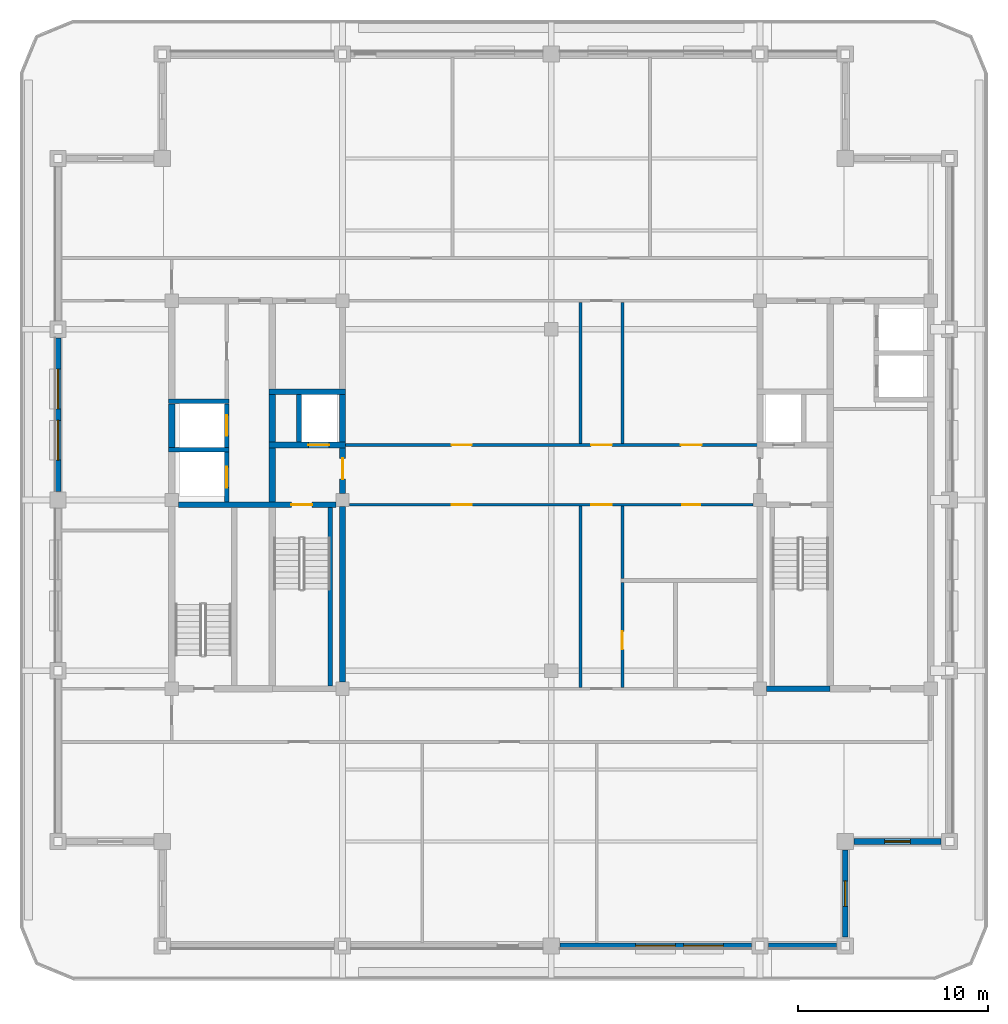
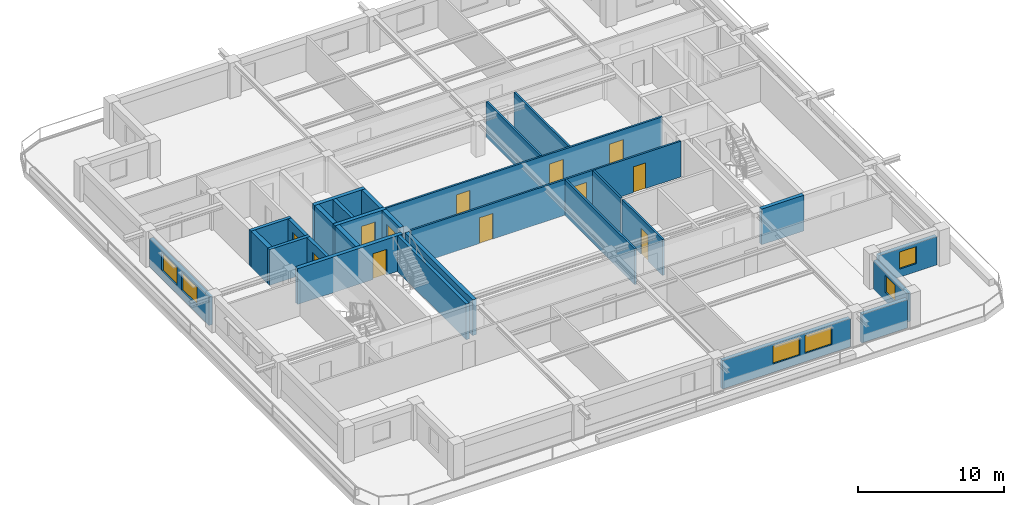
# One storey, part 3 of 11: 28 walls, 12 doors, 6 windows, 18 openings.
"""IFC4 building model written with IfcOpenShell, lengths in metres."""

from ifc_helpers import new_model, si_unit, direction, frame, frame_2d, origin, place, context, subcontext, project, spatial, rectangle, extrude, material, layer, layer_set, type_object, element, fill, save


model = new_model("IFC4")

# Units and contexts
model_context = context("Model", 3, precision=1e-05, world=origin(), true_north=direction((0.0, 1.0)))
body_context = subcontext(model_context, "Body", "Model", "MODEL_VIEW")
ifc_project = project(units=[si_unit("LENGTHUNIT", "METRE"), si_unit("AREAUNIT", "SQUARE_METRE"), si_unit("VOLUMEUNIT", "CUBIC_METRE"), si_unit("PLANEANGLEUNIT", "RADIAN"), si_unit("MASSUNIT", "GRAM", prefix="KILO")], contexts=[model_context])

# Site, building, storey
site_placement = place(None, origin())
site = spatial("IfcSite", under=ifc_project, at=site_placement, CompositionType="ELEMENT")
building_placement = place(site_placement, origin())
building = spatial("IfcBuilding", under=site, at=building_placement, Name="Zulmaris Gate Convention Tower", CompositionType="ELEMENT")
storey_placement = place(building_placement, frame((0.0, 0.0, 264.119873046875)))
storey = spatial("IfcBuildingStorey", under=building, at=storey_placement, Name="L70", CompositionType="ELEMENT", Elevation=264.119873046875)

# Walls
ifc_material_1 = material(Name="Concrete C50/60", Category="concrete")
ifc_layer_1 = layer(ifc_material_1, 0.25, Name="Concrete C50/60")
ifc_layer_set_1 = layer_set([ifc_layer_1], Name="Concrete C50/60")
wall_type_1 = type_object("IfcWallType", Name="CORE-250", PredefinedType="SOLIDWALL", material=ifc_layer_set_1)
for number, where, z_axis, x_axis, name in (
    (1, (-20.175048828125, 2.64990234375, 0.0), (0.0, 0.0, 1.0), (1.0, 0.0, 0.0), "WL-L70-007"),
    (2, (-20.175048828125, 5.199951171875, 0.0), (0.0, 0.0, 1.0), (1.0, 0.0, 0.0), "WL-L70-010"),
):
    element("IfcWall", number, at=place(storey_placement, frame(where, z_axis=z_axis, x_axis=x_axis)), inside=storey, type_object=wall_type_1, Name=name, PredefinedType="SOLIDWALL", context=body_context, shape_type="SweptSolid", body=[
        extrude(rectangle(XDim=3.199951171875, YDim=0.25, at=frame_2d((1.60009765625, 0.0))), origin(), (0.0, 0.0, 1.0), 2.980224609375),
    ])

# Wall, opening, door
wall_1_placement = place(storey_placement, frame((-17.10009765625, -0.097900390625, 0.0), z_axis=(0.0, 0.0, 1.0), x_axis=(0.0, 1.0, 0.0)))
wall_1 = element("IfcWall", 3, at=wall_1_placement, inside=storey, type_object=wall_type_1, Name="WL-L70-034", PredefinedType="SOLIDWALL", context=body_context, shape_type="SweptSolid", body=[
    extrude(rectangle(XDim=2.620849609375, YDim=0.25, at=frame_2d((1.310546875, 0.0))), origin(), (0.0, 0.0, 1.0), 2.980224609375),
])
opening_1_placement = place(wall_1_placement, frame((0.748046875, 0.0, 0.0)))
opening_1 = element("IfcOpeningElement", 4, at=opening_1_placement, cuts=wall_1, Name="Opening D-06", PredefinedType="OPENING", context=body_context, shape_type="SweptSolid", body=[
    extrude(rectangle(XDim=1.10009765625, YDim=2.199951171875, at=frame_2d((0.550048828125, 1.10009765625))), frame((0.0, 0.135009765625, 0.0), z_axis=(0.0, -1.0, 0.0), x_axis=(1.0, 0.0, 0.0)), (0.0, 0.0, 1.0), 0.27001953125),
])
ifc_material_2 = material(Name="Brushed Stainless Steel", Category="steel")
door_type_1 = type_object("IfcDoorType", Name="LD-1100", OperationType="NOTDEFINED", PredefinedType="DOOR", material=ifc_material_2)
door_1_placement = place(opening_1_placement, origin())
door_1 = element("IfcDoor", 5, at=door_1_placement, inside=storey, type_object=door_type_1, Name="L70 Lift Landing Door HP-03 10", OperationType="SLIDING_TO_LEFT", OverallHeight=2.199951171875, OverallWidth=1.10009765625, PredefinedType="DOOR", context=body_context, shape_type="SweptSolid", body=[
    extrude(rectangle(XDim=1.10009765625, YDim=2.199951171875, at=frame_2d((0.550048828125, 1.10009765625))), frame((0.0, 0.02490234375, 0.0), z_axis=(0.0, -1.0, 0.0), x_axis=(1.0, 0.0, 0.0)), (0.0, 0.0, 1.0), 0.050048828125),
])
fill(opening_1, door_1)

wall_2_placement = place(storey_placement, frame((-17.10009765625, 2.777099609375, 0.0), z_axis=(0.0, 0.0, 1.0), x_axis=(0.0, 1.0, 0.0)))
wall_2 = element("IfcWall", 6, at=wall_2_placement, inside=storey, type_object=wall_type_1, Name="WL-L70-035", PredefinedType="SOLIDWALL", context=body_context, shape_type="SweptSolid", body=[
    extrude(rectangle(XDim=2.2958984375, YDim=0.25, at=frame_2d((1.14794921875, 0.0))), origin(), (0.0, 0.0, 1.0), 2.980224609375),
])
opening_2_placement = place(wall_2_placement, frame((0.597900390625, 0.0, 0.0)))
opening_2 = element("IfcOpeningElement", 7, at=opening_2_placement, cuts=wall_2, Name="Opening D-06", PredefinedType="OPENING", context=body_context, shape_type="SweptSolid", body=[
    extrude(rectangle(XDim=1.10009765625, YDim=2.199951171875, at=frame_2d((0.550048828125, 1.10009765625))), frame((0.0, 0.135009765625, 0.0), z_axis=(0.0, -1.0, 0.0), x_axis=(1.0, 0.0, 0.0)), (0.0, 0.0, 1.0), 0.27001953125),
])
door_2_placement = place(opening_2_placement, origin())
door_2 = element("IfcDoor", 8, at=door_2_placement, inside=storey, type_object=door_type_1, Name="L70 Lift Landing Door HP-04 11", OperationType="SLIDING_TO_LEFT", OverallHeight=2.199951171875, OverallWidth=1.10009765625, PredefinedType="DOOR", context=body_context, shape_type="SweptSolid", body=[
    extrude(rectangle(XDim=1.10009765625, YDim=2.199951171875, at=frame_2d((0.550048828125, 1.10009765625))), frame((0.0, 0.02490234375, 0.0), z_axis=(0.0, -1.0, 0.0), x_axis=(1.0, 0.0, 0.0)), (0.0, 0.0, 1.0), 0.050048828125),
])
fill(opening_2, door_2)

# Walls
wall_3_placement = place(storey_placement, frame((-13.300048828125, 3.052001953125, 0.0), z_axis=(0.0, 0.0, 1.0), x_axis=(0.0, 1.0, 0.0)))
element("IfcWall", 9, at=wall_3_placement, inside=storey, type_object=wall_type_1, Name="WL-L70-041", PredefinedType="SOLIDWALL", context=body_context, shape_type="SweptSolid", body=[
    extrude(rectangle(XDim=2.49609375, YDim=0.25, at=frame_2d((1.248046875, 0.0))), origin(), (0.0, 0.0, 1.0), 2.980224609375),
])
wall_4_placement = place(storey_placement, frame((-11.64990234375, -9.798095703125, 0.0), z_axis=(0.0, 0.0, 1.0), x_axis=(0.0, 1.0, 0.0)))
element("IfcWall", 10, at=wall_4_placement, inside=storey, type_object=wall_type_1, Name="WL-L70-042", PredefinedType="SOLIDWALL", context=body_context, shape_type="SweptSolid", body=[
    extrude(rectangle(XDim=9.39599609375, YDim=0.25, at=frame_2d((4.697998046875, 0.0))), origin(), (0.0, 0.0, 1.0), 2.980224609375),
])
ifc_layer_2 = layer(ifc_material_1, 0.300048828125, Name="Concrete C50/60")
ifc_layer_set_2 = layer_set([ifc_layer_2], Name="Concrete C50/60")
wall_type_2 = type_object("IfcWallType", Name="CORE-300", PredefinedType="SHEAR", material=ifc_layer_set_2)
wall_5_placement = place(storey_placement, frame((11.35400390625, -9.949951171875, 0.0), z_axis=(0.0, 0.0, 1.0), x_axis=(1.0, 0.0, 0.0)))
element("IfcWall", 11, at=wall_5_placement, inside=storey, type_object=wall_type_2, Name="WL-L70-003", PredefinedType="SHEAR", context=body_context, shape_type="SweptSolid", body=[
    extrude(rectangle(XDim=3.345947265625, YDim=0.300048828125, at=frame_2d((1.6728515625, 0.0))), origin(), (0.0, 0.0, 1.0), 2.980224609375),
])

# Wall, opening, door
wall_6_placement = place(storey_placement, frame((-19.64599609375, -0.25, 0.0), z_axis=(0.0, 0.0, 1.0), x_axis=(1.0, 0.0, 0.0)))
wall_6 = element("IfcWall", 12, at=wall_6_placement, inside=storey, type_object=wall_type_2, Name="WL-L70-005", PredefinedType="SHEAR", context=body_context, shape_type="SweptSolid", body=[
    extrude(rectangle(XDim=8.2919921875, YDim=0.300048828125, at=frame_2d((4.14599609375, 0.0))), origin(), (0.0, 0.0, 1.0), 2.980224609375),
])
opening_3_placement = place(wall_6_placement, frame((5.946044921875, 0.0, 0.0)))
opening_3 = element("IfcOpeningElement", 13, at=opening_3_placement, cuts=wall_6, Name="Opening D-08", PredefinedType="OPENING", context=body_context, shape_type="SweptSolid", body=[
    extrude(rectangle(XDim=1.10009765625, YDim=2.14990234375, at=frame_2d((0.550048828125, 1.074951171875))), frame((0.0, 0.16015625, 0.0), z_axis=(0.0, -1.0, 0.0), x_axis=(1.0, 0.0, 0.0)), (0.0, 0.0, 1.0), 0.320068359375),
])
ifc_material_3 = material(Name="Fire-Rated Steel", Category="steel")
door_type_2 = type_object("IfcDoorType", Name="DR-1100-FD", OperationType="NOTDEFINED", PredefinedType="DOOR", material=ifc_material_3)
door_3_placement = place(opening_3_placement, origin())
door_3 = element("IfcDoor", 14, at=door_3_placement, inside=storey, type_object=door_type_2, Name="L70 Exit Stair ST-1 Door 01", OperationType="SINGLE_SWING_LEFT", OverallHeight=2.14990234375, OverallWidth=1.10009765625, PredefinedType="DOOR", context=body_context, shape_type="SweptSolid", body=[
    extrude(rectangle(XDim=1.10009765625, YDim=2.14990234375, at=frame_2d((0.550048828125, 1.074951171875))), frame((0.0, 0.02490234375, 0.0), z_axis=(0.0, -1.0, 0.0), x_axis=(1.0, 0.0, 0.0)), (0.0, 0.0, 1.0), 0.050048828125),
])
fill(opening_3, door_3)

wall_7_placement = place(storey_placement, frame((-14.875, 2.89990234375, 0.0), z_axis=(0.0, 0.0, 1.0), x_axis=(1.0, 0.0, 0.0)))
wall_7 = element("IfcWall", 15, at=wall_7_placement, inside=storey, type_object=wall_type_2, Name="WL-L70-008", PredefinedType="SHEAR", context=body_context, shape_type="SweptSolid", body=[
    extrude(rectangle(XDim=4.02490234375, YDim=0.300048828125, at=frame_2d((2.012451171875, 0.0))), origin(), (0.0, 0.0, 1.0), 2.980224609375),
])
opening_4_placement = place(wall_7_placement, frame((2.074951171875, 0.0, 0.0)))
opening_4 = element("IfcOpeningElement", 16, at=opening_4_placement, cuts=wall_7, Name="Opening D-06", PredefinedType="OPENING", context=body_context, shape_type="SweptSolid", body=[
    extrude(rectangle(XDim=1.10009765625, YDim=2.199951171875, at=frame_2d((0.550048828125, 1.10009765625))), frame((0.0, 0.16015625, 0.0), z_axis=(0.0, -1.0, 0.0), x_axis=(1.0, 0.0, 0.0)), (0.0, 0.0, 1.0), 0.320068359375),
])
door_4_placement = place(opening_4_placement, origin())
door_4 = element("IfcDoor", 17, at=door_4_placement, inside=storey, type_object=door_type_1, Name="L70 Lift Landing Door LF-01 03", OperationType="SLIDING_TO_LEFT", OverallHeight=2.199951171875, OverallWidth=1.10009765625, PredefinedType="DOOR", context=body_context, shape_type="SweptSolid", body=[
    extrude(rectangle(XDim=1.10009765625, YDim=2.199951171875, at=frame_2d((0.550048828125, 1.10009765625))), frame((0.0, 0.02490234375, 0.0), z_axis=(0.0, -1.0, 0.0), x_axis=(1.0, 0.0, 0.0)), (0.0, 0.0, 1.0), 0.050048828125),
])
fill(opening_4, door_4)

# Walls
wall_8_placement = place(storey_placement, frame((-14.875, 5.699951171875, 0.0), z_axis=(0.0, 0.0, 1.0), x_axis=(1.0, 0.0, 0.0)))
element("IfcWall", 18, at=wall_8_placement, inside=storey, type_object=wall_type_2, Name="WL-L70-012", PredefinedType="SHEAR", context=body_context, shape_type="SweptSolid", body=[
    extrude(rectangle(XDim=4.02490234375, YDim=0.300048828125, at=frame_2d((2.012451171875, 0.0))), origin(), (0.0, 0.0, 1.0), 2.980224609375),
])
wall_9_placement = place(storey_placement, frame((-11.0, -9.595947265625, 0.0), z_axis=(0.0, 0.0, 1.0), x_axis=(0.0, 1.0, 0.0)))
element("IfcWall", 19, at=wall_9_placement, inside=storey, type_object=wall_type_2, Name="WL-L70-043", PredefinedType="SHEAR", context=body_context, shape_type="SweptSolid", body=[
    extrude(rectangle(XDim=9.241943359375, YDim=0.300048828125, at=frame_2d((4.62109375, 0.0))), origin(), (0.0, 0.0, 1.0), 2.980224609375),
])

# Wall, opening, door
wall_10_placement = place(storey_placement, frame((-11.0, 0.35400390625, 0.0), z_axis=(0.0, 0.0, 1.0), x_axis=(0.0, 1.0, 0.0)))
wall_10 = element("IfcWall", 20, at=wall_10_placement, inside=storey, type_object=wall_type_2, Name="WL-L70-044", PredefinedType="SHEAR", context=body_context, shape_type="SweptSolid", body=[
    extrude(rectangle(XDim=2.39404296875, YDim=0.300048828125, at=frame_2d((1.197021484375, 0.0))), origin(), (0.0, 0.0, 1.0), 2.980224609375),
])
opening_5_placement = place(wall_10_placement, frame((0.74609375, 0.0, 0.0)))
opening_5 = element("IfcOpeningElement", 21, at=opening_5_placement, cuts=wall_10, Name="Opening D-08", PredefinedType="OPENING", context=body_context, shape_type="SweptSolid", body=[
    extrude(rectangle(XDim=1.10009765625, YDim=2.14990234375, at=frame_2d((0.550048828125, 1.074951171875))), frame((0.0, 0.16015625, 0.0), z_axis=(0.0, -1.0, 0.0), x_axis=(1.0, 0.0, 0.0)), (0.0, 0.0, 1.0), 0.320068359375),
])
door_5_placement = place(opening_5_placement, origin())
door_5 = element("IfcDoor", 22, at=door_5_placement, inside=storey, type_object=door_type_2, Name="L70 West Firefighting Lobby Door 02", OperationType="SINGLE_SWING_RIGHT", OverallHeight=2.14990234375, OverallWidth=1.10009765625, PredefinedType="DOOR", context=body_context, shape_type="SweptSolid", body=[
    extrude(rectangle(XDim=1.10009765625, YDim=2.14990234375, at=frame_2d((0.550048828125, 1.074951171875))), frame((0.0, 0.02490234375, 0.0), z_axis=(0.0, -1.0, 0.0), x_axis=(1.0, 0.0, 0.0)), (0.0, 0.0, 1.0), 0.050048828125),
])
fill(opening_5, door_5)

# Walls
wall_11_placement = place(storey_placement, frame((-11.0, 3.052001953125, 0.0), z_axis=(0.0, 0.0, 1.0), x_axis=(0.0, 1.0, 0.0)))
element("IfcWall", 23, at=wall_11_placement, inside=storey, type_object=wall_type_2, Name="WL-L70-045", PredefinedType="SHEAR", context=body_context, shape_type="SweptSolid", body=[
    extrude(rectangle(XDim=2.49609375, YDim=0.300048828125, at=frame_2d((1.248046875, 0.0))), origin(), (0.0, 0.0, 1.0), 2.980224609375),
])
ifc_material_4 = material(Name="Concrete C55/67", Category="concrete")
ifc_layer_3 = layer(ifc_material_4, 0.35009765625, Name="Concrete C55/67")
ifc_layer_set_3 = layer_set([ifc_layer_3], Name="Concrete C55/67")
wall_type_3 = type_object("IfcWallType", Name="CORE-350", PredefinedType="SHEAR", material=ifc_layer_set_3)
wall_12_placement = place(storey_placement, frame((-20.0, 2.777099609375, 0.0), z_axis=(0.0, 0.0, 1.0), x_axis=(0.0, 1.0, 0.0)))
element("IfcWall", 24, at=wall_12_placement, inside=storey, type_object=wall_type_3, Name="WL-L70-032", PredefinedType="SHEAR", context=body_context, shape_type="SweptSolid", body=[
    extrude(rectangle(XDim=2.2958984375, YDim=0.35009765625, at=frame_2d((1.14794921875, 0.0))), origin(), (0.0, 0.0, 1.0), 2.980224609375),
])
wall_13_placement = place(storey_placement, frame((-14.699951171875, -0.097900390625, 0.0), z_axis=(0.0, 0.0, 1.0), x_axis=(0.0, 1.0, 0.0)))
element("IfcWall", 25, at=wall_13_placement, inside=storey, type_object=wall_type_3, Name="WL-L70-038", PredefinedType="SHEAR", context=body_context, shape_type="SweptSolid", body=[
    extrude(rectangle(XDim=2.845947265625, YDim=0.35009765625, at=frame_2d((1.4228515625, 0.0))), origin(), (0.0, 0.0, 1.0), 2.980224609375),
])
wall_14_placement = place(storey_placement, frame((-14.699951171875, 3.052001953125, 0.0), z_axis=(0.0, 0.0, 1.0), x_axis=(0.0, 1.0, 0.0)))
element("IfcWall", 26, at=wall_14_placement, inside=storey, type_object=wall_type_3, Name="WL-L70-039", PredefinedType="SHEAR", context=body_context, shape_type="SweptSolid", body=[
    extrude(rectangle(XDim=2.49609375, YDim=0.35009765625, at=frame_2d((1.248046875, 0.0))), origin(), (0.0, 0.0, 1.0), 2.980224609375),
])

# Wall, openings, doors
ifc_material_5 = material(Name="Gypsum Metal Stud Partition")
ifc_layer_4 = layer(ifc_material_5, 0.14990234375, Name="Gypsum Metal Stud Partition")
ifc_layer_set_4 = layer_set([ifc_layer_4], Name="Gypsum Metal Stud Partition")
wall_type_4 = type_object("IfcWallType", Name="PART-150", PredefinedType="PARTITIONING", material=ifc_layer_set_4)
wall_15_placement = place(storey_placement, frame((-10.64404296875, -0.25, 0.0), z_axis=(0.0, 0.0, 1.0), x_axis=(1.0, 0.0, 0.0)))
wall_15 = element("IfcWall", 27, at=wall_15_placement, inside=storey, type_object=wall_type_4, Name="WL-L70-024", PredefinedType="PARTITIONING", context=body_context, shape_type="SweptSolid", body=[
    extrude(rectangle(XDim=21.2880859375, YDim=0.14990234375, at=frame_2d((10.64404296875, 0.0))), origin(), (0.0, 0.0, 1.0), 2.980224609375),
])
opening_6_placement = place(wall_15_placement, frame((12.743896484375, 0.0, 0.0)))
opening_6 = element("IfcOpeningElement", 28, at=opening_6_placement, cuts=wall_15, Name="Opening D-08", PredefinedType="OPENING", context=body_context, shape_type="SweptSolid", body=[
    extrude(rectangle(XDim=1.10009765625, YDim=2.14990234375, at=frame_2d((0.550048828125, 1.074951171875))), frame((0.0, 0.0849609375, 0.0), z_axis=(0.0, -1.0, 0.0), x_axis=(1.0, 0.0, 0.0)), (0.0, 0.0, 1.0), 0.169921875),
])
opening_7_placement = place(wall_15_placement, frame((5.39892578125, 0.0, 0.0)))
opening_7 = element("IfcOpeningElement", 29, at=opening_7_placement, cuts=wall_15, Name="Opening D-09", PredefinedType="OPENING", context=body_context, shape_type="SweptSolid", body=[
    extrude(rectangle(XDim=1.050048828125, YDim=2.14990234375, at=frame_2d((0.52490234375, 1.074951171875))), frame((0.0, 0.0849609375, 0.0), z_axis=(0.0, -1.0, 0.0), x_axis=(1.0, 0.0, 0.0)), (0.0, 0.0, 1.0), 0.169921875),
])
opening_8_placement = place(wall_15_placement, frame((17.549072265625, 0.0, 0.0)))
opening_8 = element("IfcOpeningElement", 30, at=opening_8_placement, cuts=wall_15, Name="Opening D-11", PredefinedType="OPENING", context=body_context, shape_type="SweptSolid", body=[
    extrude(rectangle(XDim=0.949951171875, YDim=2.14990234375, at=frame_2d((0.47509765625, 1.074951171875))), frame((0.0, 0.0849609375, 0.0), z_axis=(0.0, -1.0, 0.0), x_axis=(1.0, 0.0, 0.0)), (0.0, 0.0, 1.0), 0.169921875),
])
door_type_3 = type_object("IfcDoorType", Name="DR-1050-FD", OperationType="NOTDEFINED", PredefinedType="DOOR", material=ifc_material_3)
door_6_placement = place(opening_7_placement, origin())
door_6 = element("IfcDoor", 31, at=door_6_placement, inside=storey, type_object=door_type_3, Name="L70 Sky Library Door 30", OperationType="SINGLE_SWING_RIGHT", OverallHeight=2.14990234375, OverallWidth=1.050048828125, PredefinedType="DOOR", context=body_context, shape_type="SweptSolid", body=[
    extrude(rectangle(XDim=1.050048828125, YDim=2.14990234375, at=frame_2d((0.52490234375, 1.074951171875))), frame((0.0, 0.02490234375, 0.0), z_axis=(0.0, -1.0, 0.0), x_axis=(1.0, 0.0, 0.0)), (0.0, 0.0, 1.0), 0.050048828125),
])
fill(opening_7, door_6)
door_7_placement = place(opening_6_placement, origin())
door_7 = element("IfcDoor", 32, at=door_7_placement, inside=storey, type_object=door_type_2, Name="L70 Exec Cross South Door 21", OperationType="SINGLE_SWING_LEFT", OverallHeight=2.14990234375, OverallWidth=1.10009765625, PredefinedType="DOOR", context=body_context, shape_type="SweptSolid", body=[
    extrude(rectangle(XDim=1.10009765625, YDim=2.14990234375, at=frame_2d((0.550048828125, 1.074951171875))), frame((0.0, 0.02490234375, 0.0), z_axis=(0.0, -1.0, 0.0), x_axis=(1.0, 0.0, 0.0)), (0.0, 0.0, 1.0), 0.050048828125),
])
fill(opening_6, door_7)
ifc_material_6 = material(Name="Fire-Rated Timber", Category="wood")
door_type_4 = type_object("IfcDoorType", Name="DR-950-FD", OperationType="NOTDEFINED", PredefinedType="DOOR", material=ifc_material_6)
door_8_placement = place(opening_8_placement, origin())
door_8 = element("IfcDoor", 33, at=door_8_placement, inside=storey, type_object=door_type_4, Name="L70 Public WC Door 31", OperationType="SINGLE_SWING_LEFT", OverallHeight=2.14990234375, OverallWidth=0.949951171875, PredefinedType="DOOR", context=body_context, shape_type="SweptSolid", body=[
    extrude(rectangle(XDim=0.949951171875, YDim=2.14990234375, at=frame_2d((0.47509765625, 1.074951171875))), frame((0.0, 0.02490234375, 0.0), z_axis=(0.0, -1.0, 0.0), x_axis=(1.0, 0.0, 0.0)), (0.0, 0.0, 1.0), 0.050048828125),
])
fill(opening_8, door_8)

wall_16_placement = place(storey_placement, frame((-11.0, 2.89990234375, 0.0), z_axis=(0.0, 0.0, 1.0), x_axis=(1.0, 0.0, 0.0)))
wall_16 = element("IfcWall", 34, at=wall_16_placement, inside=storey, type_object=wall_type_4, Name="WL-L70-025", PredefinedType="PARTITIONING", context=body_context, shape_type="SweptSolid", body=[
    extrude(rectangle(XDim=22.0, YDim=0.14990234375, at=frame_2d((11.0, 0.0))), origin(), (0.0, 0.0, 1.0), 2.980224609375),
])
opening_9_placement = place(wall_16_placement, frame((13.10009765625, 0.0, 0.0)))
opening_9 = element("IfcOpeningElement", 35, at=opening_9_placement, cuts=wall_16, Name="Opening D-08", PredefinedType="OPENING", context=body_context, shape_type="SweptSolid", body=[
    extrude(rectangle(XDim=1.10009765625, YDim=2.14990234375, at=frame_2d((0.550048828125, 1.074951171875))), frame((0.0, 0.0849609375, 0.0), z_axis=(0.0, -1.0, 0.0), x_axis=(1.0, 0.0, 0.0)), (0.0, 0.0, 1.0), 0.169921875),
])
opening_10_placement = place(wall_16_placement, frame((5.7548828125, 0.0, 0.0)))
opening_10 = element("IfcOpeningElement", 36, at=opening_10_placement, cuts=wall_16, Name="Opening D-09", PredefinedType="OPENING", context=body_context, shape_type="SweptSolid", body=[
    extrude(rectangle(XDim=1.050048828125, YDim=2.14990234375, at=frame_2d((0.52490234375, 1.074951171875))), frame((0.0, 0.0849609375, 0.0), z_axis=(0.0, -1.0, 0.0), x_axis=(1.0, 0.0, 0.0)), (0.0, 0.0, 1.0), 0.169921875),
])
opening_11_placement = place(wall_16_placement, frame((17.830078125, 0.0, 0.0)))
opening_11 = element("IfcOpeningElement", 37, at=opening_11_placement, cuts=wall_16, Name="Opening D-08", PredefinedType="OPENING", context=body_context, shape_type="SweptSolid", body=[
    extrude(rectangle(XDim=1.10009765625, YDim=2.14990234375, at=frame_2d((0.550048828125, 1.074951171875))), frame((0.0, 0.0849609375, 0.0), z_axis=(0.0, -1.0, 0.0), x_axis=(1.0, 0.0, 0.0)), (0.0, 0.0, 1.0), 0.169921875),
])
door_9_placement = place(opening_10_placement, origin())
door_9 = element("IfcDoor", 38, at=door_9_placement, inside=storey, type_object=door_type_3, Name="L70 Reception Door 28", OperationType="SINGLE_SWING_RIGHT", OverallHeight=2.14990234375, OverallWidth=1.050048828125, PredefinedType="DOOR", context=body_context, shape_type="SweptSolid", body=[
    extrude(rectangle(XDim=1.050048828125, YDim=2.14990234375, at=frame_2d((0.52490234375, 1.074951171875))), frame((0.0, 0.02490234375, 0.0), z_axis=(0.0, -1.0, 0.0), x_axis=(1.0, 0.0, 0.0)), (0.0, 0.0, 1.0), 0.050048828125),
])
fill(opening_10, door_9)
door_10_placement = place(opening_9_placement, origin())
door_10 = element("IfcDoor", 39, at=door_10_placement, inside=storey, type_object=door_type_2, Name="L70 Exec Cross North Door 20", OperationType="SINGLE_SWING_RIGHT", OverallHeight=2.14990234375, OverallWidth=1.10009765625, PredefinedType="DOOR", context=body_context, shape_type="SweptSolid", body=[
    extrude(rectangle(XDim=1.10009765625, YDim=2.14990234375, at=frame_2d((0.550048828125, 1.074951171875))), frame((0.0, 0.02490234375, 0.0), z_axis=(0.0, -1.0, 0.0), x_axis=(1.0, 0.0, 0.0)), (0.0, 0.0, 1.0), 0.050048828125),
])
fill(opening_9, door_10)
door_11_placement = place(opening_11_placement, origin())
door_11 = element("IfcDoor", 40, at=door_11_placement, inside=storey, type_object=door_type_2, Name="L70 Townhall Forum Door 29", OperationType="SINGLE_SWING_LEFT", OverallHeight=2.14990234375, OverallWidth=1.10009765625, PredefinedType="DOOR", context=body_context, shape_type="SweptSolid", body=[
    extrude(rectangle(XDim=1.10009765625, YDim=2.14990234375, at=frame_2d((0.550048828125, 1.074951171875))), frame((0.0, 0.02490234375, 0.0), z_axis=(0.0, -1.0, 0.0), x_axis=(1.0, 0.0, 0.0)), (0.0, 0.0, 1.0), 0.050048828125),
])
fill(opening_11, door_11)

# Walls
wall_17_placement = place(storey_placement, frame((1.550048828125, -9.8720703125, 0.0), z_axis=(0.0, 0.0, 1.0), x_axis=(0.0, 1.0, 0.0)))
element("IfcWall", 41, at=wall_17_placement, inside=storey, type_object=wall_type_4, Name="WL-L70-067", PredefinedType="PARTITIONING", context=body_context, shape_type="SweptSolid", body=[
    extrude(rectangle(XDim=9.544189453125, YDim=0.14990234375, at=frame_2d((4.77197265625, 0.0))), origin(), (0.0, 0.0, 1.0), 2.980224609375),
])
wall_18_placement = place(storey_placement, frame((1.550048828125, 2.97802734375, 0.0), z_axis=(0.0, 0.0, 1.0), x_axis=(0.0, 1.0, 0.0)))
element("IfcWall", 42, at=wall_18_placement, inside=storey, type_object=wall_type_4, Name="WL-L70-068", PredefinedType="PARTITIONING", context=body_context, shape_type="SweptSolid", body=[
    extrude(rectangle(XDim=7.444091796875, YDim=0.14990234375, at=frame_2d((3.72216796875, 0.0))), origin(), (0.0, 0.0, 1.0), 2.980224609375),
])

# Wall, opening, door
wall_19_placement = place(storey_placement, frame((3.75, -9.8720703125, 0.0), z_axis=(0.0, 0.0, 1.0), x_axis=(0.0, 1.0, 0.0)))
wall_19 = element("IfcWall", 43, at=wall_19_placement, inside=storey, type_object=wall_type_4, Name="WL-L70-070", PredefinedType="PARTITIONING", context=body_context, shape_type="SweptSolid", body=[
    extrude(rectangle(XDim=5.51904296875, YDim=0.14990234375, at=frame_2d((2.759521484375, 0.0))), origin(), (0.0, 0.0, 1.0), 2.980224609375),
])
opening_12_placement = place(wall_19_placement, frame((1.9970703125, 0.0, 0.0)))
opening_12 = element("IfcOpeningElement", 44, at=opening_12_placement, cuts=wall_19, Name="Opening D-11", PredefinedType="OPENING", context=body_context, shape_type="SweptSolid", body=[
    extrude(rectangle(XDim=0.949951171875, YDim=2.14990234375, at=frame_2d((0.47509765625, 1.074951171875))), frame((0.0, 0.0849609375, 0.0), z_axis=(0.0, -1.0, 0.0), x_axis=(1.0, 0.0, 0.0)), (0.0, 0.0, 1.0), 0.169921875),
])
door_12_placement = place(opening_12_placement, origin())
door_12 = element("IfcDoor", 45, at=door_12_placement, inside=storey, type_object=door_type_4, Name="L70 Accessible WC Door 32", OperationType="SINGLE_SWING_RIGHT", OverallHeight=2.14990234375, OverallWidth=0.949951171875, PredefinedType="DOOR", context=body_context, shape_type="SweptSolid", body=[
    extrude(rectangle(XDim=0.949951171875, YDim=2.14990234375, at=frame_2d((0.47509765625, 1.074951171875))), frame((0.0, 0.02490234375, 0.0), z_axis=(0.0, -1.0, 0.0), x_axis=(1.0, 0.0, 0.0)), (0.0, 0.0, 1.0), 0.050048828125),
])
fill(opening_12, door_12)

# Walls
wall_20_placement = place(storey_placement, frame((3.75, -4.14697265625, 0.0), z_axis=(0.0, 0.0, 1.0), x_axis=(0.0, 1.0, 0.0)))
element("IfcWall", 46, at=wall_20_placement, inside=storey, type_object=wall_type_4, Name="WL-L70-071", PredefinedType="PARTITIONING", context=body_context, shape_type="SweptSolid", body=[
    extrude(rectangle(XDim=3.819091796875, YDim=0.14990234375, at=frame_2d((1.90966796875, 0.0))), origin(), (0.0, 0.0, 1.0), 2.980224609375),
])
wall_21_placement = place(storey_placement, frame((3.75, 2.97802734375, 0.0), z_axis=(0.0, 0.0, 1.0), x_axis=(0.0, 1.0, 0.0)))
element("IfcWall", 47, at=wall_21_placement, inside=storey, type_object=wall_type_4, Name="WL-L70-072", PredefinedType="PARTITIONING", context=body_context, shape_type="SweptSolid", body=[
    extrude(rectangle(XDim=7.444091796875, YDim=0.14990234375, at=frame_2d((3.72216796875, 0.0))), origin(), (0.0, 0.0, 1.0), 2.980224609375),
])

# Wall, opening, window
ifc_material_7 = material(Name="Precast concrete C40/50", Category="concrete")
ifc_layer_5 = layer(ifc_material_7, 0.300048828125, Name="Precast concrete C40/50")
ifc_layer_set_5 = layer_set([ifc_layer_5], Name="Precast concrete C40/50")
wall_type_5 = type_object("IfcWallType", Name="PRECAST-PIER-300", PredefinedType="STANDARD", material=ifc_layer_set_5)
wall_22_placement = place(storey_placement, frame((15.5, -23.044921875, 0.0), z_axis=(0.0, 0.0, 1.0), x_axis=(0.0, 1.0, 0.0)))
wall_22 = element("IfcWall", 48, at=wall_22_placement, inside=storey, type_object=wall_type_5, Name="EW-L70-NOTCH-SE1_0", PredefinedType="STANDARD", context=body_context, shape_type="SweptSolid", body=[
    extrude(rectangle(XDim=4.58984375, YDim=0.300048828125, at=frame_2d((2.294921875, 0.0))), origin(), (0.0, 0.0, 1.0), 2.372314453125),
])
opening_13_placement = place(wall_22_placement, frame((1.6201171875, 0.0, 0.679931640625)))
opening_13 = element("IfcOpeningElement", 49, at=opening_13_placement, cuts=wall_22, Name="Opening W-10", PredefinedType="OPENING", context=body_context, shape_type="SweptSolid", body=[
    extrude(rectangle(XDim=1.35009765625, YDim=1.419921875, at=frame_2d((0.675048828125, 0.7099609375))), frame((0.0, 0.16015625, 0.0), z_axis=(0.0, -1.0, 0.0), x_axis=(1.0, 0.0, 0.0)), (0.0, 0.0, 1.0), 0.320068359375),
])
ifc_material_8 = material(Name="Low-E Laminated Double Glazing in Aluminium Frame", Category="aluminium")
window_type_1 = type_object("IfcWindowType", Name="WIN-1350x2000", PartitioningType="SINGLE_PANEL", PredefinedType="WINDOW", material=ifc_material_8)
window_1_placement = place(opening_13_placement, origin())
window_1 = element("IfcWindow", 50, at=window_1_placement, inside=storey, type_object=window_type_1, Name="WN-EW-L70-NOTCH-SE1_0", OverallHeight=1.419921875, OverallWidth=1.35009765625, PartitioningType="SINGLE_PANEL", PredefinedType="WINDOW", context=body_context, shape_type="SweptSolid", body=[
    extrude(rectangle(XDim=1.35009765625, YDim=1.419921875, at=frame_2d((0.675048828125, 0.7099609375))), frame((0.0, 0.030029296875, 0.0), z_axis=(0.0, -1.0, 0.0), x_axis=(1.0, 0.0, 0.0)), (0.0, 0.0, 1.0), 0.06005859375),
])
fill(opening_13, window_1)

wall_23_placement = place(storey_placement, frame((15.955078125, -18.0, 0.0), z_axis=(0.0, 0.0, 1.0), x_axis=(1.0, 0.0, 0.0)))
wall_23 = element("IfcWall", 51, at=wall_23_placement, inside=storey, type_object=wall_type_5, Name="EW-L70-NOTCH-SE2_0", PredefinedType="STANDARD", context=body_context, shape_type="SweptSolid", body=[
    extrude(rectangle(XDim=4.58984375, YDim=0.300048828125, at=frame_2d((2.294921875, 0.0))), origin(), (0.0, 0.0, 1.0), 2.372314453125),
])
opening_14_placement = place(wall_23_placement, frame((1.6201171875, 0.0, 0.679931640625)))
opening_14 = element("IfcOpeningElement", 52, at=opening_14_placement, cuts=wall_23, Name="Opening W-10", PredefinedType="OPENING", context=body_context, shape_type="SweptSolid", body=[
    extrude(rectangle(XDim=1.35009765625, YDim=1.419921875, at=frame_2d((0.675048828125, 0.7099609375))), frame((0.0, 0.16015625, 0.0), z_axis=(0.0, -1.0, 0.0), x_axis=(1.0, 0.0, 0.0)), (0.0, 0.0, 1.0), 0.320068359375),
])
window_2_placement = place(opening_14_placement, origin())
window_2 = element("IfcWindow", 53, at=window_2_placement, inside=storey, type_object=window_type_1, Name="WN-EW-L70-NOTCH-SE2_0", OverallHeight=1.419921875, OverallWidth=1.35009765625, PartitioningType="SINGLE_PANEL", PredefinedType="WINDOW", context=body_context, shape_type="SweptSolid", body=[
    extrude(rectangle(XDim=1.35009765625, YDim=1.419921875, at=frame_2d((0.675048828125, 0.7099609375))), frame((0.0, 0.030029296875, 0.0), z_axis=(0.0, -1.0, 0.0), x_axis=(1.0, 0.0, 0.0)), (0.0, 0.0, 1.0), 0.06005859375),
])
fill(opening_14, window_2)

# Wall, openings, windows
wall_24_placement = place(storey_placement, frame((0.455078125, -23.5, 0.0), z_axis=(0.0, 0.0, 1.0), x_axis=(1.0, 0.0, 0.0)))
wall_24 = element("IfcWall", 54, at=wall_24_placement, inside=storey, type_object=wall_type_5, Name="EW-L70-S-2_0", PredefinedType="STANDARD", context=body_context, shape_type="SweptSolid", body=[
    extrude(rectangle(XDim=10.08984375, YDim=0.300048828125, at=frame_2d((5.044921875, 0.0))), origin(), (0.0, 0.0, 1.0), 2.372314453125),
])
opening_15_placement = place(wall_24_placement, frame((3.9951171875, 0.0, 0.699951171875)))
opening_15 = element("IfcOpeningElement", 55, at=opening_15_placement, cuts=wall_24, Name="Opening W-05", PredefinedType="OPENING", context=body_context, shape_type="SweptSolid", body=[
    extrude(rectangle(XDim=2.10009765625, YDim=1.5, at=frame_2d((1.050048828125, 0.75))), frame((0.0, 0.16015625, 0.0), z_axis=(0.0, -1.0, 0.0), x_axis=(1.0, 0.0, 0.0)), (0.0, 0.0, 1.0), 0.320068359375),
])
opening_16_placement = place(wall_24_placement, frame((6.51806640625, 0.0, 0.699951171875)))
opening_16 = element("IfcOpeningElement", 56, at=opening_16_placement, cuts=wall_24, Name="Opening W-05", PredefinedType="OPENING", context=body_context, shape_type="SweptSolid", body=[
    extrude(rectangle(XDim=2.10009765625, YDim=1.5, at=frame_2d((1.050048828125, 0.75))), frame((0.0, 0.16015625, 0.0), z_axis=(0.0, -1.0, 0.0), x_axis=(1.0, 0.0, 0.0)), (0.0, 0.0, 1.0), 0.320068359375),
])
window_type_2 = type_object("IfcWindowType", Name="WIN-2100x2400", PartitioningType="SINGLE_PANEL", PredefinedType="WINDOW", material=ifc_material_8)
window_3_placement = place(opening_15_placement, origin())
window_3 = element("IfcWindow", 57, at=window_3_placement, inside=storey, type_object=window_type_2, Name="WN-EW-L70-S-2_0-2", OverallHeight=1.5, OverallWidth=2.10009765625, PartitioningType="SINGLE_PANEL", PredefinedType="WINDOW", context=body_context, shape_type="SweptSolid", body=[
    extrude(rectangle(XDim=2.10009765625, YDim=1.5, at=frame_2d((1.050048828125, 0.75))), frame((0.0, 0.030029296875, 0.0), z_axis=(0.0, -1.0, 0.0), x_axis=(1.0, 0.0, 0.0)), (0.0, 0.0, 1.0), 0.06005859375),
])
fill(opening_15, window_3)
window_4_placement = place(opening_16_placement, origin())
window_4 = element("IfcWindow", 58, at=window_4_placement, inside=storey, type_object=window_type_2, Name="WN-EW-L70-S-2_0-3", OverallHeight=1.5, OverallWidth=2.10009765625, PartitioningType="SINGLE_PANEL", PredefinedType="WINDOW", context=body_context, shape_type="SweptSolid", body=[
    extrude(rectangle(XDim=2.10009765625, YDim=1.5, at=frame_2d((1.050048828125, 0.75))), frame((0.0, 0.030029296875, 0.0), z_axis=(0.0, -1.0, 0.0), x_axis=(1.0, 0.0, 0.0)), (0.0, 0.0, 1.0), 0.06005859375),
])
fill(opening_16, window_4)

# Wall
wall_25_placement = place(storey_placement, frame((11.455078125, -23.5, 0.0), z_axis=(0.0, 0.0, 1.0), x_axis=(1.0, 0.0, 0.0)))
element("IfcWall", 59, at=wall_25_placement, inside=storey, type_object=wall_type_5, Name="EW-L70-S-3_0", PredefinedType="STANDARD", context=body_context, shape_type="SweptSolid", body=[
    extrude(rectangle(XDim=3.58984375, YDim=0.300048828125, at=frame_2d((1.794921875, 0.0))), origin(), (0.0, 0.0, 1.0), 2.372314453125),
])

# Wall, openings, windows
wall_26_placement = place(storey_placement, frame((-26.0, 8.544921875, 0.0), z_axis=(0.0, 0.0, 1.0), x_axis=(0.0, -1.0, 0.0)))
wall_26 = element("IfcWall", 60, at=wall_26_placement, inside=storey, type_object=wall_type_5, Name="EW-L70-W-2_0", PredefinedType="STANDARD", context=body_context, shape_type="SweptSolid", body=[
    extrude(rectangle(XDim=8.08984375, YDim=0.300048828125, at=frame_2d((4.044921875, 0.0))), origin(), (0.0, 0.0, 1.0), 2.372314453125),
])
opening_17_placement = place(wall_26_placement, frame((1.64697265625, 0.0, 0.699951171875)))
opening_17 = element("IfcOpeningElement", 61, at=opening_17_placement, cuts=wall_26, Name="Opening W-05", PredefinedType="OPENING", context=body_context, shape_type="SweptSolid", body=[
    extrude(rectangle(XDim=2.10009765625, YDim=1.5, at=frame_2d((1.050048828125, 0.75))), frame((0.0, 0.16015625, 0.0), z_axis=(0.0, -1.0, 0.0), x_axis=(1.0, 0.0, 0.0)), (0.0, 0.0, 1.0), 0.320068359375),
])
opening_18_placement = place(wall_26_placement, frame((4.343017578125, 0.0, 0.699951171875)))
opening_18 = element("IfcOpeningElement", 62, at=opening_18_placement, cuts=wall_26, Name="Opening W-05", PredefinedType="OPENING", context=body_context, shape_type="SweptSolid", body=[
    extrude(rectangle(XDim=2.10009765625, YDim=1.5, at=frame_2d((1.050048828125, 0.75))), frame((0.0, 0.16015625, 0.0), z_axis=(0.0, -1.0, 0.0), x_axis=(1.0, 0.0, 0.0)), (0.0, 0.0, 1.0), 0.320068359375),
])
window_5_placement = place(opening_17_placement, origin())
window_5 = element("IfcWindow", 63, at=window_5_placement, inside=storey, type_object=window_type_2, Name="WN-EW-L70-W-2_0-1", OverallHeight=1.5, OverallWidth=2.10009765625, PartitioningType="SINGLE_PANEL", PredefinedType="WINDOW", context=body_context, shape_type="SweptSolid", body=[
    extrude(rectangle(XDim=2.10009765625, YDim=1.5, at=frame_2d((1.050048828125, 0.75))), frame((0.0, 0.030029296875, 0.0), z_axis=(0.0, -1.0, 0.0), x_axis=(1.0, 0.0, 0.0)), (0.0, 0.0, 1.0), 0.06005859375),
])
fill(opening_17, window_5)
window_6_placement = place(opening_18_placement, origin())
window_6 = element("IfcWindow", 64, at=window_6_placement, inside=storey, type_object=window_type_2, Name="WN-EW-L70-W-2_0-2", OverallHeight=1.5, OverallWidth=2.10009765625, PartitioningType="SINGLE_PANEL", PredefinedType="WINDOW", context=body_context, shape_type="SweptSolid", body=[
    extrude(rectangle(XDim=2.10009765625, YDim=1.5, at=frame_2d((1.050048828125, 0.75))), frame((0.0, 0.030029296875, 0.0), z_axis=(0.0, -1.0, 0.0), x_axis=(1.0, 0.0, 0.0)), (0.0, 0.0, 1.0), 0.06005859375),
])
fill(opening_18, window_6)

save(model, "model.ifc")
